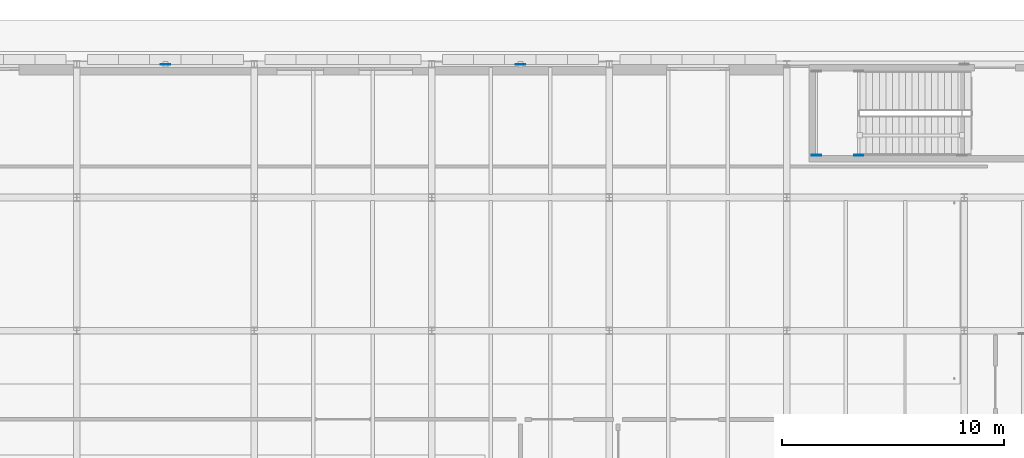
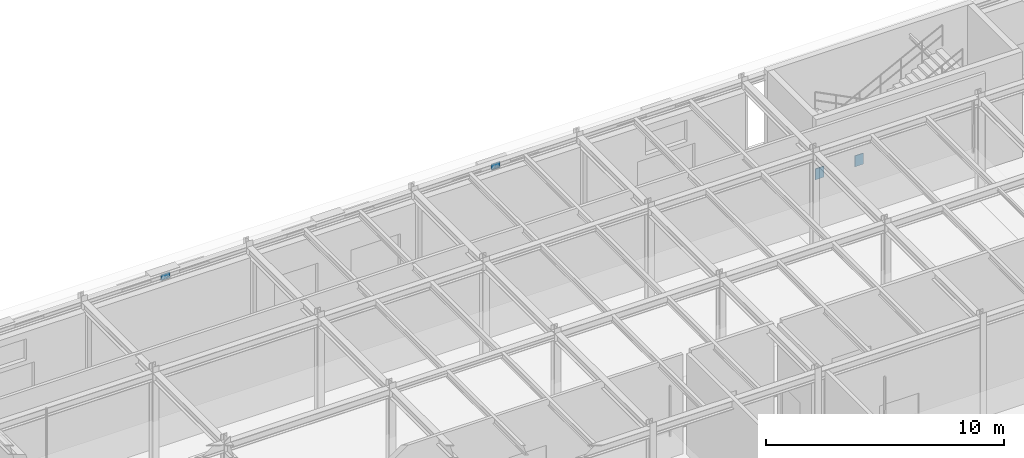
# One storey, part 68 of 129: 4 plates.
"""IFC4 building model written with IfcOpenShell, lengths in metres."""

import ifcopenshell
import ifcopenshell.guid

model = None  # the IFC model being written
_history = None  # IfcOwnerHistory: only IFC2X3 demands one
_inside = {}  # id of a spatial element -> (the spatial element, [elements in it])
_under = {}  # id of a project, library or spatial element -> (it, [spatial elements below it])
_declared = {}  # id of a project -> (the project, [libraries it declares])
_typed = {}  # id of a type object -> (the type object, [elements of that type])
_made_of = {}  # id of a material, layer set ... -> (it, [elements and type objects made of it])


def new_model(schema):
    """Start an empty IFC model of exactly this schema.

    Asked for "IFC4X3", IfcOpenShell would pick the latest addendum, in which some entities
    have other attributes; the version numbers below select the first issue.
    IFC2X3 requires an IfcOwnerHistory on every rooted entity: one is made here for all.
    """
    global model, _history
    if schema == "IFC4X3":
        model = ifcopenshell.file(schema_version=(4, 3, 0, 0))
    else:
        model = ifcopenshell.file(schema=schema)
    _inside.clear()
    _under.clear()
    _declared.clear()
    _typed.clear()
    _made_of.clear()
    _history = None
    if model.schema == "IFC2X3":
        org = make("IfcOrganization", Name="unknown")
        user = make(
            "IfcPersonAndOrganization",
            ThePerson=make("IfcPerson", FamilyName="unknown"),
            TheOrganization=org,
        )
        app = make(
            "IfcApplication",
            ApplicationDeveloper=org,
            Version="unknown",
            ApplicationFullName="unknown",
            ApplicationIdentifier="unknown",
        )
        _history = make(
            "IfcOwnerHistory",
            OwningUser=user,
            OwningApplication=app,
            ChangeAction="ADDED",
            CreationDate=0,
        )
    return model


def make(cls, **values):
    """One entity of the class cls with the attributes given. An attribute that is None is left unset."""
    return model.create_entity(
        cls, **{name: value for name, value in values.items() if value is not None}
    )


def rooted(cls, **values):
    """An entity with a GlobalId (a new one), such as an element, a storey or a relation."""
    return make(cls, GlobalId=ifcopenshell.guid.new(), OwnerHistory=_history, **values)


def si_unit(unit_type, name, prefix=None):
    """IfcSIUnit, for example si_unit("LENGTHUNIT", "METRE", prefix="MILLI")."""
    return make("IfcSIUnit", UnitType=unit_type, Prefix=prefix, Name=name)


def assignment(units):
    """IfcUnitAssignment: the units of a project."""
    return None if units is None else make("IfcUnitAssignment", Units=units)


def point(xyz):
    """IfcCartesianPoint."""
    return None if xyz is None else make("IfcCartesianPoint", Coordinates=xyz)


def direction(xyz):
    """IfcDirection."""
    return None if xyz is None else make("IfcDirection", DirectionRatios=xyz)


def frame(location, z_axis=None, x_axis=None):
    """IfcAxis2Placement3D, a coordinate frame: its origin and axes. An axis left out is left unset."""
    return make(
        "IfcAxis2Placement3D",
        Location=point(location),
        Axis=direction(z_axis),
        RefDirection=direction(x_axis),
    )


def frame_2d(location, x_axis=None):
    """IfcAxis2Placement2D, a coordinate frame in the plane: its origin and x axis."""
    return make(
        "IfcAxis2Placement2D", Location=point(location), RefDirection=direction(x_axis)
    )


def origin():
    """The frame at (0, 0, 0) with its axes left unset."""
    return frame((0.0, 0.0, 0.0))


def origin_2d():
    """The frame at (0, 0) in the plane with its x axis left unset."""
    return frame_2d((0.0, 0.0))


def place(relative_to, where):
    """IfcLocalPlacement: puts the frame where relative to a parent placement (None: the world)."""
    return make(
        "IfcLocalPlacement", PlacementRelTo=relative_to, RelativePlacement=where
    )


def context(
    kind, dimensions, precision=None, world=None, true_north=None, identifier=None
):
    """IfcGeometricRepresentationContext, for example the 3D "Model" context."""
    return make(
        "IfcGeometricRepresentationContext",
        ContextIdentifier=identifier,
        ContextType=kind,
        CoordinateSpaceDimension=dimensions,
        Precision=precision,
        WorldCoordinateSystem=world,
        TrueNorth=true_north,
    )


def subcontext(parent, identifier, kind, view, scale=None):
    """IfcGeometricRepresentationSubContext, for example "Body" below "Model"."""
    return make(
        "IfcGeometricRepresentationSubContext",
        ContextIdentifier=identifier,
        ContextType=kind,
        ParentContext=parent,
        TargetScale=scale,
        TargetView=view,
    )


def project(units=None, contexts=None):
    """IfcProject with its units and contexts."""
    return rooted(
        "IfcProject",
        Name="project",
        RepresentationContexts=contexts,
        UnitsInContext=assignment(units),
    )


def spatial(cls, under=None, at=None, **own):
    """A site, building, storey or space (cls), placed at a placement, below another one or the project."""
    s = rooted(cls, ObjectPlacement=at, **own)
    if under is not None:
        _under.setdefault(under.id(), (under, []))[1].append(s)
    return s


def profile(cls, at=None, kind="AREA", **sizes):
    """A parametric profile (cls). Its sizes go by their IFC names, for example OverallWidth=200.0."""
    return make(cls, ProfileType=kind, Position=at, **sizes)


def rectangle(**sizes):
    """IfcRectangleProfileDef."""
    return profile("IfcRectangleProfileDef", **sizes)


def extrude(swept, where, along, depth):
    """IfcExtrudedAreaSolid: the profile swept, set in the frame where, extruded along a direction by depth."""
    return make(
        "IfcExtrudedAreaSolid",
        SweptArea=swept,
        Position=where,
        ExtrudedDirection=direction(along),
        Depth=depth,
    )


def shape(context_of_items, identifier, shape_type, items):
    """IfcShapeRepresentation: the items that make up one representation, for example the "Body"."""
    return make(
        "IfcShapeRepresentation",
        ContextOfItems=context_of_items,
        RepresentationIdentifier=identifier,
        RepresentationType=shape_type,
        Items=items,
    )


def material(Name=None, Category=None):
    """IfcMaterial."""
    return make("IfcMaterial", Name=Name, Category=Category)


def layer(
    of_material, thickness, ventilated=None, Name=None, Category=None, Priority=None
):
    """IfcMaterialLayer: one layer of a wall or slab, of a material (None: an air gap)."""
    return make(
        "IfcMaterialLayer",
        Material=of_material,
        LayerThickness=thickness,
        IsVentilated=ventilated,
        Name=Name,
        Category=Category,
        Priority=Priority,
    )


def layer_set(layers, Name=None):
    """IfcMaterialLayerSet."""
    return make("IfcMaterialLayerSet", MaterialLayers=layers, LayerSetName=Name)


def made_of(thing, what):
    """Note that an element or type object is made of a material, layer set ...; save() writes the relation."""
    if what is not None:
        _made_of.setdefault(what.id(), (what, []))[1].append(thing)
    return thing


def type_object(cls, material=None, **own):
    """A type object (cls), such as IfcWallType, which elements share."""
    return made_of(rooted(cls, **own), material)


def element(
    cls,
    number,
    at=None,
    inside=None,
    cuts=None,
    type_object=None,
    material=None,
    context=None,
    identifier="Body",
    shape_type=None,
    held_by="IfcProductDefinitionShape",
    body=None,
    shapes=None,
    **own,
):
    """One element of the class cls, such as IfcWall. Its Tag is "e" and its number.

    at: its placement. inside: the storey or other place that contains it. cuts: it is an
    opening in that element (IfcRelVoidsElement). A single representation is given by context,
    identifier, shape_type and body (its items); several are given by shapes. held_by: the class
    of the entity that holds the representations. save() writes the other relations.
    """
    e = rooted(cls, Tag="e%d" % number, ObjectPlacement=at, **own)
    if body is not None:
        shapes = [shape(context, identifier, shape_type, body)]
    if shapes is not None:
        e.Representation = make(held_by, Representations=shapes)
    if inside is not None:
        _inside.setdefault(inside.id(), (inside, []))[1].append(e)
    if cuts is not None:
        rooted(
            "IfcRelVoidsElement", RelatingBuildingElement=cuts, RelatedOpeningElement=e
        )
    if type_object is not None:
        _typed.setdefault(type_object.id(), (type_object, []))[1].append(e)
    return made_of(e, material)


def aggregate(whole, parts):
    """IfcRelAggregates: a whole, such as a stair, and the parts it consists of."""
    return rooted("IfcRelAggregates", RelatingObject=whole, RelatedObjects=parts)


def save(model, path):
    """Write the relations noted so far, then the file.

    IfcRelAggregates (storeys below a building ...), IfcRelContainedInSpatialStructure (elements
    in a storey), IfcRelDefinesByType, IfcRelAssociatesMaterial and IfcRelDeclares: one each for
    every whole, place, type object, material and project.
    """
    for whole, parts in _under.values():
        aggregate(whole, parts)
    for where, things in _inside.values():
        rooted(
            "IfcRelContainedInSpatialStructure",
            RelatedElements=things,
            RelatingStructure=where,
        )
    for kind, things in _typed.values():
        rooted("IfcRelDefinesByType", RelatedObjects=things, RelatingType=kind)
    for what, things in _made_of.values():
        rooted("IfcRelAssociatesMaterial", RelatedObjects=things, RelatingMaterial=what)
    for by, libraries in _declared.values():
        rooted("IfcRelDeclares", RelatingContext=by, RelatedDefinitions=libraries)
    model.write(path)


model = new_model("IFC4")

# Units and contexts
model_context = context("Model", 3, precision=1e-05, world=origin(), true_north=direction((0.0, 1.0)))
body_context = subcontext(model_context, "Body", "Model", "MODEL_VIEW")
ifc_project = project(units=[si_unit("LENGTHUNIT", "METRE"), si_unit("AREAUNIT", "SQUARE_METRE"), si_unit("VOLUMEUNIT", "CUBIC_METRE"), si_unit("PLANEANGLEUNIT", "RADIAN"), si_unit("MASSUNIT", "GRAM", prefix="KILO")], contexts=[model_context])

# Site, building, storey
site_placement = place(None, origin())
site = spatial("IfcSite", under=ifc_project, at=site_placement, CompositionType="ELEMENT")
building_placement = place(site_placement, origin())
building = spatial("IfcBuilding", under=site, at=building_placement, Name="Sundkrona Museum", CompositionType="ELEMENT")
storey_placement = place(building_placement, origin())
storey = spatial("IfcBuildingStorey", under=building, at=storey_placement, Name="L00", CompositionType="ELEMENT", Elevation=0.0)

# Plates
ifc_material = material(Name="Steel S355J2", Category="steel")
ifc_layer_1 = layer(ifc_material, 0.034912109375)
ifc_layer_set_1 = layer_set([ifc_layer_1], Name="Steel S355J2")
plate_type_1 = type_object("IfcPlateType", Name="EP-1", PredefinedType="USERDEFINED", material=ifc_layer_set_1)
for number, where, z_axis, x_axis, name in (
    (1, (41.339599609375, 109.909912109375, 2.099853515625), (0.0, 0.0, 1.0), (1.0, 0.0, 0.0), "Core Wall Cast-In Embed Plate BM-STLD-ST-3-L00-1A-1"),
    (2, (43.245361328125, 109.909912109375, 2.099853515625), (0.0, 0.0, 1.0), (1.0, 0.0, 0.0), "Core Wall Cast-In Embed Plate BM-STLD-ST-3-L00-1B-1"),
):
    element("IfcPlate", number, at=place(storey_placement, frame(where, z_axis=z_axis, x_axis=x_axis)), inside=storey, type_object=plate_type_1, Name=name, ObjectType="GUSSET PLATE", PredefinedType="USERDEFINED", context=body_context, shape_type="SweptSolid", body=[
        extrude(rectangle(XDim=0.419921875, YDim=0.034912109375, at=origin_2d()), origin(), (0.0, 0.0, 1.0), 0.56005859375),
    ])
ifc_layer_2 = layer(ifc_material, 0.02197265625)
ifc_layer_set_2 = layer_set([ifc_layer_2], Name="Steel S355J2")
plate_type_2 = type_object("IfcPlateType", Name="GP-5", PredefinedType="USERDEFINED", material=ifc_layer_set_2)
for number, where, z_axis, x_axis, name in (
    (3, (28.0, 114.0, 4.784912109375), (0.0, 0.0, 1.0), (1.0, 0.0, 0.0), "L00 Chevron Apex Gusset Plate 014"),
    (4, (12.0, 114.0, 4.724853515625), (0.0, 0.0, 1.0), (1.0, 0.0, 0.0), "L00 Chevron Apex Gusset Plate 033"),
):
    element("IfcPlate", number, at=place(storey_placement, frame(where, z_axis=z_axis, x_axis=x_axis)), inside=storey, type_object=plate_type_2, Name=name, ObjectType="GUSSET PLATE", PredefinedType="USERDEFINED", context=body_context, shape_type="SweptSolid", body=[
        extrude(rectangle(XDim=0.43994140625, YDim=0.02197265625, at=origin_2d()), origin(), (0.0, 0.0, 1.0), 0.31005859375),
    ])

save(model, "model.ifc")
